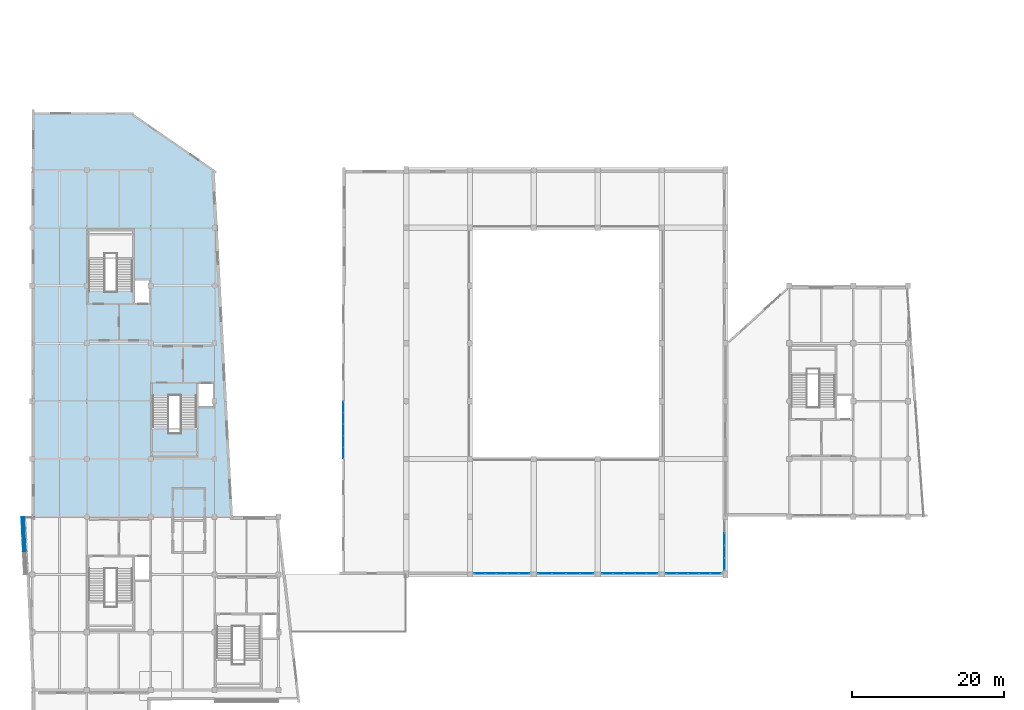
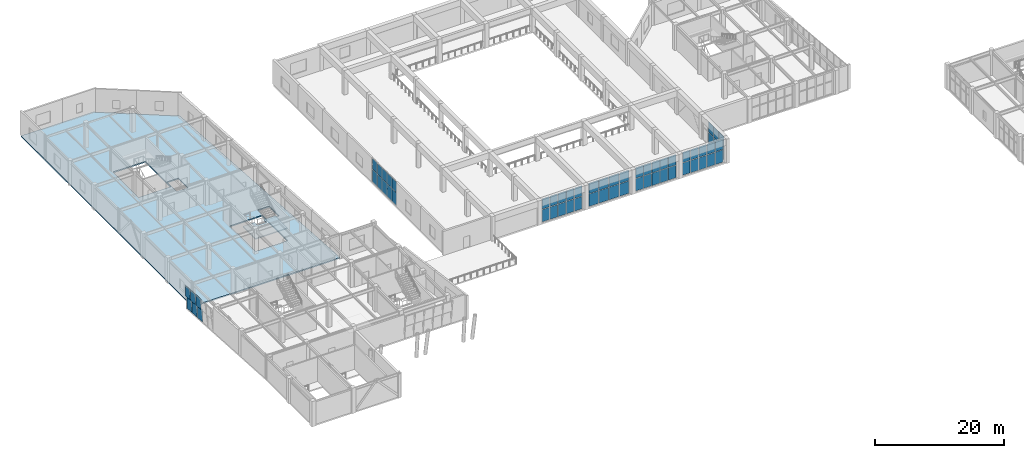
# One storey, part 51 of 72: 60 plates, 2 slabs, 8 elements without a shape of their own.
"""IFC4 building model written with IfcOpenShell, lengths in metres."""

from ifc_helpers import new_model, si_unit, direction, frame, origin, origin_2d, place, context, subcontext, project, spatial, polyline, rectangle, outline, extrude, material, layer, layer_set, type_object, element, aggregate, save


model = new_model("IFC4")

# Units and contexts
model_context = context("Model", 3, precision=1e-05, world=origin(), true_north=direction((0.0, 1.0)))
body_context = subcontext(model_context, "Body", "Model", "MODEL_VIEW")
ifc_project = project(units=[si_unit("LENGTHUNIT", "METRE"), si_unit("AREAUNIT", "SQUARE_METRE"), si_unit("VOLUMEUNIT", "CUBIC_METRE"), si_unit("PLANEANGLEUNIT", "RADIAN"), si_unit("MASSUNIT", "GRAM", prefix="KILO")], contexts=[model_context])

# Site, building, storey
site_placement = place(None, origin())
site = spatial("IfcSite", under=ifc_project, at=site_placement, CompositionType="ELEMENT")
building_placement = place(site_placement, origin())
building = spatial("IfcBuilding", under=site, at=building_placement, Name="Xicomal Pleat Aquarium", CompositionType="ELEMENT")
storey_placement = place(building_placement, frame((0.0, 0.0, 10.5)))
storey = spatial("IfcBuildingStorey", under=building, at=storey_placement, Name="L03", CompositionType="ELEMENT", Elevation=10.5)

# Curtain wall, plates
ifc_material_1 = material(Name="Bronze anodized aluminium 6063-T6", Category="aluminium")
ifc_layer_1 = layer(ifc_material_1, 0.159912109375)
ifc_layer_set_1 = layer_set([ifc_layer_1], Name="Bronze anodized aluminium 6063-T6")
curtain_wall_type_1 = type_object("IfcCurtainWallType", Name="CW-SYS-03", PredefinedType="NOTDEFINED", material=ifc_layer_set_1)
curtain_wall_1_placement = place(storey_placement, origin())
curtain_wall_1 = element("IfcCurtainWall", 1, at=curtain_wall_1_placement, inside=storey, type_object=curtain_wall_type_1, Name="L03 unitised curtain wall CW-L03-164", PredefinedType="NOTDEFINED")
ifc_material_2 = material(Name="Insulated low-E laminated glass", Category="glass")
ifc_layer_2 = layer(ifc_material_2, 0.028076171875)
ifc_layer_set_2 = layer_set([ifc_layer_2], Name="Insulated low-E laminated glass")
plate_type_1 = type_object("IfcPlateType", Name="CWP-GLZ-28", PredefinedType="CURTAIN_PANEL", material=ifc_layer_set_2)
plate_1_placement = place(storey_placement, frame((92.9228515625, 30.5400390625, 0.0849609375), z_axis=(0.0, 0.0, 1.0), x_axis=(-1.0, 0.0, 0.0)))
plate_1 = element("IfcPlate", 2, at=plate_1_placement, type_object=plate_type_1, Name="CW-03 panel 1.1", PredefinedType="CURTAIN_PANEL", context=body_context, shape_type="SweptSolid", body=[
    extrude(rectangle(XDim=1.344482421875, YDim=0.028076171875, at=origin_2d()), origin(), (0.0, 0.0, 1.0), 2.33447265625),
])
plate_2_placement = place(storey_placement, frame((92.9228515625, 30.5400390625, 2.50439453125), z_axis=(0.0, 0.0, 1.0), x_axis=(-1.0, 0.0, 0.0)))
plate_2 = element("IfcPlate", 3, at=plate_2_placement, type_object=plate_type_1, Name="CW-03 panel 1.2", PredefinedType="CURTAIN_PANEL", context=body_context, shape_type="SweptSolid", body=[
    extrude(rectangle(XDim=1.344482421875, YDim=0.028076171875, at=origin_2d()), origin(), (0.0, 0.0, 1.0), 1.970458984375),
])
plate_3_placement = place(storey_placement, frame((91.471923828125, 30.5400390625, 0.0849609375), z_axis=(0.0, 0.0, 1.0), x_axis=(-1.0, 0.0, 0.0)))
plate_3 = element("IfcPlate", 4, at=plate_3_placement, type_object=plate_type_1, Name="CW-03 panel 2.1", PredefinedType="CURTAIN_PANEL", context=body_context, shape_type="SweptSolid", body=[
    extrude(rectangle(XDim=1.386962890625, YDim=0.028076171875, at=origin_2d()), origin(), (0.0, 0.0, 1.0), 2.33447265625),
])
plate_4_placement = place(storey_placement, frame((91.471923828125, 30.5400390625, 2.50439453125), z_axis=(0.0, 0.0, 1.0), x_axis=(-1.0, 0.0, 0.0)))
plate_4 = element("IfcPlate", 5, at=plate_4_placement, type_object=plate_type_1, Name="CW-03 panel 2.2", PredefinedType="CURTAIN_PANEL", context=body_context, shape_type="SweptSolid", body=[
    extrude(rectangle(XDim=1.386962890625, YDim=0.028076171875, at=origin_2d()), origin(), (0.0, 0.0, 1.0), 1.970458984375),
])
plate_5_placement = place(storey_placement, frame((90.0, 30.5400390625, 0.0849609375), z_axis=(0.0, 0.0, 1.0), x_axis=(-1.0, 0.0, 0.0)))
plate_5 = element("IfcPlate", 6, at=plate_5_placement, type_object=plate_type_1, Name="CW-03 panel 3.1", PredefinedType="CURTAIN_PANEL", context=body_context, shape_type="SweptSolid", body=[
    extrude(rectangle(XDim=1.386962890625, YDim=0.028076171875, at=origin_2d()), origin(), (0.0, 0.0, 1.0), 2.33447265625),
])
plate_6_placement = place(storey_placement, frame((90.0, 30.5400390625, 2.50439453125), z_axis=(0.0, 0.0, 1.0), x_axis=(-1.0, 0.0, 0.0)))
plate_6 = element("IfcPlate", 7, at=plate_6_placement, type_object=plate_type_1, Name="CW-03 panel 3.2", PredefinedType="CURTAIN_PANEL", context=body_context, shape_type="SweptSolid", body=[
    extrude(rectangle(XDim=1.386962890625, YDim=0.028076171875, at=origin_2d()), origin(), (0.0, 0.0, 1.0), 1.970458984375),
])
plate_7_placement = place(storey_placement, frame((88.528076171875, 30.5400390625, 0.0849609375), z_axis=(0.0, 0.0, 1.0), x_axis=(-1.0, 0.0, 0.0)))
plate_7 = element("IfcPlate", 8, at=plate_7_placement, type_object=plate_type_1, Name="CW-03 panel 4.1", PredefinedType="CURTAIN_PANEL", context=body_context, shape_type="SweptSolid", body=[
    extrude(rectangle(XDim=1.386962890625, YDim=0.028076171875, at=origin_2d()), origin(), (0.0, 0.0, 1.0), 2.33447265625),
])
plate_8_placement = place(storey_placement, frame((88.528076171875, 30.5400390625, 2.50439453125), z_axis=(0.0, 0.0, 1.0), x_axis=(-1.0, 0.0, 0.0)))
plate_8 = element("IfcPlate", 9, at=plate_8_placement, type_object=plate_type_1, Name="CW-03 panel 4.2", PredefinedType="CURTAIN_PANEL", context=body_context, shape_type="SweptSolid", body=[
    extrude(rectangle(XDim=1.386962890625, YDim=0.028076171875, at=origin_2d()), origin(), (0.0, 0.0, 1.0), 1.970458984375),
])
plate_9_placement = place(storey_placement, frame((87.0771484375, 30.5400390625, 0.0849609375), z_axis=(0.0, 0.0, 1.0), x_axis=(-1.0, 0.0, 0.0)))
plate_9 = element("IfcPlate", 10, at=plate_9_placement, type_object=plate_type_1, Name="CW-03 panel 5.1", PredefinedType="CURTAIN_PANEL", context=body_context, shape_type="SweptSolid", body=[
    extrude(rectangle(XDim=1.344482421875, YDim=0.028076171875, at=origin_2d()), origin(), (0.0, 0.0, 1.0), 2.33447265625),
])
plate_10_placement = place(storey_placement, frame((87.0771484375, 30.5400390625, 2.50439453125), z_axis=(0.0, 0.0, 1.0), x_axis=(-1.0, 0.0, 0.0)))
plate_10 = element("IfcPlate", 11, at=plate_10_placement, type_object=plate_type_1, Name="CW-03 panel 5.2", PredefinedType="CURTAIN_PANEL", context=body_context, shape_type="SweptSolid", body=[
    extrude(rectangle(XDim=1.344482421875, YDim=0.028076171875, at=origin_2d()), origin(), (0.0, 0.0, 1.0), 1.970458984375),
])
aggregate(curtain_wall_1, [plate_1, plate_2, plate_3, plate_4, plate_5, plate_6, plate_7, plate_8, plate_9, plate_10])

curtain_wall_2_placement = place(storey_placement, origin())
curtain_wall_2 = element("IfcCurtainWall", 12, at=curtain_wall_2_placement, inside=storey, type_object=curtain_wall_type_1, Name="L03 unitised curtain wall CW-L03-168", PredefinedType="NOTDEFINED")
plate_11_placement = place(storey_placement, frame((43.93994140625, 46.376220703125, 0.06494140625), z_axis=(0.0, 0.0, 1.0), x_axis=(0.0, 1.0, 0.0)))
plate_11 = element("IfcPlate", 13, at=plate_11_placement, type_object=plate_type_1, Name="CW-03 panel 1.1", PredefinedType="CURTAIN_PANEL", context=body_context, shape_type="SweptSolid", body=[
    extrude(rectangle(XDim=1.422607421875, YDim=0.028076171875, at=origin_2d()), origin(), (0.0, 0.0, 1.0), 2.364501953125),
])
plate_12_placement = place(storey_placement, frame((43.93994140625, 46.376220703125, 2.494384765625), z_axis=(0.0, 0.0, 1.0), x_axis=(0.0, 1.0, 0.0)))
plate_12 = element("IfcPlate", 14, at=plate_12_placement, type_object=plate_type_1, Name="CW-03 panel 1.2", PredefinedType="CURTAIN_PANEL", context=body_context, shape_type="SweptSolid", body=[
    extrude(rectangle(XDim=1.422607421875, YDim=0.028076171875, at=origin_2d()), origin(), (0.0, 0.0, 1.0), 2.00048828125),
])
plate_13_placement = place(storey_placement, frame((43.93994140625, 47.8798828125, 0.06494140625), z_axis=(0.0, 0.0, 1.0), x_axis=(0.0, 1.0, 0.0)))
plate_13 = element("IfcPlate", 15, at=plate_13_placement, type_object=plate_type_1, Name="CW-03 panel 2.1", PredefinedType="CURTAIN_PANEL", context=body_context, shape_type="SweptSolid", body=[
    extrude(rectangle(XDim=1.455078125, YDim=0.028076171875, at=origin_2d()), origin(), (0.0, 0.0, 1.0), 2.364501953125),
])
plate_14_placement = place(storey_placement, frame((43.93994140625, 47.8798828125, 2.494384765625), z_axis=(0.0, 0.0, 1.0), x_axis=(0.0, 1.0, 0.0)))
plate_14 = element("IfcPlate", 16, at=plate_14_placement, type_object=plate_type_1, Name="CW-03 panel 2.2", PredefinedType="CURTAIN_PANEL", context=body_context, shape_type="SweptSolid", body=[
    extrude(rectangle(XDim=1.455078125, YDim=0.028076171875, at=origin_2d()), origin(), (0.0, 0.0, 1.0), 2.00048828125),
])
plate_15_placement = place(storey_placement, frame((43.93994140625, 49.39990234375, 0.06494140625), z_axis=(0.0, 0.0, 1.0), x_axis=(0.0, 1.0, 0.0)))
plate_15 = element("IfcPlate", 17, at=plate_15_placement, type_object=plate_type_1, Name="CW-03 panel 3.1", PredefinedType="CURTAIN_PANEL", context=body_context, shape_type="SweptSolid", body=[
    extrude(rectangle(XDim=1.455078125, YDim=0.028076171875, at=origin_2d()), origin(), (0.0, 0.0, 1.0), 2.364501953125),
])
plate_16_placement = place(storey_placement, frame((43.93994140625, 49.39990234375, 2.494384765625), z_axis=(0.0, 0.0, 1.0), x_axis=(0.0, 1.0, 0.0)))
plate_16 = element("IfcPlate", 18, at=plate_16_placement, type_object=plate_type_1, Name="CW-03 panel 3.2", PredefinedType="CURTAIN_PANEL", context=body_context, shape_type="SweptSolid", body=[
    extrude(rectangle(XDim=1.455078125, YDim=0.028076171875, at=origin_2d()), origin(), (0.0, 0.0, 1.0), 2.00048828125),
])
plate_17_placement = place(storey_placement, frame((43.93994140625, 50.919921875, 0.06494140625), z_axis=(0.0, 0.0, 1.0), x_axis=(0.0, 1.0, 0.0)))
plate_17 = element("IfcPlate", 19, at=plate_17_placement, type_object=plate_type_1, Name="CW-03 panel 4.1", PredefinedType="CURTAIN_PANEL", context=body_context, shape_type="SweptSolid", body=[
    extrude(rectangle(XDim=1.455078125, YDim=0.028076171875, at=origin_2d()), origin(), (0.0, 0.0, 1.0), 2.364501953125),
])
plate_18_placement = place(storey_placement, frame((43.93994140625, 50.919921875, 2.494384765625), z_axis=(0.0, 0.0, 1.0), x_axis=(0.0, 1.0, 0.0)))
plate_18 = element("IfcPlate", 20, at=plate_18_placement, type_object=plate_type_1, Name="CW-03 panel 4.2", PredefinedType="CURTAIN_PANEL", context=body_context, shape_type="SweptSolid", body=[
    extrude(rectangle(XDim=1.455078125, YDim=0.028076171875, at=origin_2d()), origin(), (0.0, 0.0, 1.0), 2.00048828125),
])
plate_19_placement = place(storey_placement, frame((43.93994140625, 52.423828125, 0.06494140625), z_axis=(0.0, 0.0, 1.0), x_axis=(0.0, 1.0, 0.0)))
plate_19 = element("IfcPlate", 21, at=plate_19_placement, type_object=plate_type_1, Name="CW-03 panel 5.1", PredefinedType="CURTAIN_PANEL", context=body_context, shape_type="SweptSolid", body=[
    extrude(rectangle(XDim=1.422607421875, YDim=0.028076171875, at=origin_2d()), origin(), (0.0, 0.0, 1.0), 2.364501953125),
])
plate_20_placement = place(storey_placement, frame((43.93994140625, 52.423828125, 2.494384765625), z_axis=(0.0, 0.0, 1.0), x_axis=(0.0, 1.0, 0.0)))
plate_20 = element("IfcPlate", 22, at=plate_20_placement, type_object=plate_type_1, Name="CW-03 panel 5.2", PredefinedType="CURTAIN_PANEL", context=body_context, shape_type="SweptSolid", body=[
    extrude(rectangle(XDim=1.422607421875, YDim=0.028076171875, at=origin_2d()), origin(), (0.0, 0.0, 1.0), 2.00048828125),
])
aggregate(curtain_wall_2, [plate_11, plate_12, plate_13, plate_14, plate_15, plate_16, plate_17, plate_18, plate_19, plate_20])

curtain_wall_3_placement = place(storey_placement, origin())
curtain_wall_3 = element("IfcCurtainWall", 23, at=curtain_wall_3_placement, inside=storey, type_object=curtain_wall_type_1, Name="L03 unitised curtain wall CW-L03-165", PredefinedType="NOTDEFINED")
ifc_material_3 = material(Name="Insulated low-E laminated glass", Category="glass")
ifc_layer_3 = layer(ifc_material_3, 0.031982421875)
ifc_layer_set_3 = layer_set([ifc_layer_3], Name="Insulated low-E laminated glass")
plate_type_2 = type_object("IfcPlateType", Name="CWP-GLZ-32", PredefinedType="CURTAIN_PANEL", material=ifc_layer_set_3)
plate_21_placement = place(storey_placement, frame((84.527587890625, 30.5400390625, 0.06494140625), z_axis=(0.0, 0.0, 1.0), x_axis=(-1.0, 0.0, 0.0)))
plate_21 = element("IfcPlate", 24, at=plate_21_placement, type_object=plate_type_2, Name="CW-03 panel 1.1", PredefinedType="CURTAIN_PANEL", context=body_context, shape_type="SweptSolid", body=[
    extrude(rectangle(XDim=1.37451171875, YDim=0.031982421875, at=origin_2d()), origin(), (0.0, 0.0, 1.0), 2.364501953125),
])
plate_22_placement = place(storey_placement, frame((84.527587890625, 30.5400390625, 2.494384765625), z_axis=(0.0, 0.0, 1.0), x_axis=(-1.0, 0.0, 0.0)))
plate_22 = element("IfcPlate", 25, at=plate_22_placement, type_object=plate_type_2, Name="CW-03 panel 1.2", PredefinedType="CURTAIN_PANEL", context=body_context, shape_type="SweptSolid", body=[
    extrude(rectangle(XDim=1.37451171875, YDim=0.031982421875, at=origin_2d()), origin(), (0.0, 0.0, 1.0), 2.00048828125),
])
plate_23_placement = place(storey_placement, frame((83.072021484375, 30.5400390625, 0.06494140625), z_axis=(0.0, 0.0, 1.0), x_axis=(-1.0, 0.0, 0.0)))
plate_23 = element("IfcPlate", 26, at=plate_23_placement, type_object=plate_type_2, Name="CW-03 panel 2.1", PredefinedType="CURTAIN_PANEL", context=body_context, shape_type="SweptSolid", body=[
    extrude(rectangle(XDim=1.406982421875, YDim=0.031982421875, at=origin_2d()), origin(), (0.0, 0.0, 1.0), 2.364501953125),
])
plate_24_placement = place(storey_placement, frame((83.072021484375, 30.5400390625, 2.494384765625), z_axis=(0.0, 0.0, 1.0), x_axis=(-1.0, 0.0, 0.0)))
plate_24 = element("IfcPlate", 27, at=plate_24_placement, type_object=plate_type_2, Name="CW-03 panel 2.2", PredefinedType="CURTAIN_PANEL", context=body_context, shape_type="SweptSolid", body=[
    extrude(rectangle(XDim=1.406982421875, YDim=0.031982421875, at=origin_2d()), origin(), (0.0, 0.0, 1.0), 2.00048828125),
])
plate_25_placement = place(storey_placement, frame((81.60009765625, 30.5400390625, 0.06494140625), z_axis=(0.0, 0.0, 1.0), x_axis=(-1.0, 0.0, 0.0)))
plate_25 = element("IfcPlate", 28, at=plate_25_placement, type_object=plate_type_2, Name="CW-03 panel 3.1", PredefinedType="CURTAIN_PANEL", context=body_context, shape_type="SweptSolid", body=[
    extrude(rectangle(XDim=1.406982421875, YDim=0.031982421875, at=origin_2d()), origin(), (0.0, 0.0, 1.0), 2.364501953125),
])
plate_26_placement = place(storey_placement, frame((81.60009765625, 30.5400390625, 2.494384765625), z_axis=(0.0, 0.0, 1.0), x_axis=(-1.0, 0.0, 0.0)))
plate_26 = element("IfcPlate", 29, at=plate_26_placement, type_object=plate_type_2, Name="CW-03 panel 3.2", PredefinedType="CURTAIN_PANEL", context=body_context, shape_type="SweptSolid", body=[
    extrude(rectangle(XDim=1.406982421875, YDim=0.031982421875, at=origin_2d()), origin(), (0.0, 0.0, 1.0), 2.00048828125),
])
plate_27_placement = place(storey_placement, frame((80.1279296875, 30.5400390625, 0.06494140625), z_axis=(0.0, 0.0, 1.0), x_axis=(-1.0, 0.0, 0.0)))
plate_27 = element("IfcPlate", 30, at=plate_27_placement, type_object=plate_type_2, Name="CW-03 panel 4.1", PredefinedType="CURTAIN_PANEL", context=body_context, shape_type="SweptSolid", body=[
    extrude(rectangle(XDim=1.406982421875, YDim=0.031982421875, at=origin_2d()), origin(), (0.0, 0.0, 1.0), 2.364501953125),
])
plate_28_placement = place(storey_placement, frame((80.1279296875, 30.5400390625, 2.494384765625), z_axis=(0.0, 0.0, 1.0), x_axis=(-1.0, 0.0, 0.0)))
plate_28 = element("IfcPlate", 31, at=plate_28_placement, type_object=plate_type_2, Name="CW-03 panel 4.2", PredefinedType="CURTAIN_PANEL", context=body_context, shape_type="SweptSolid", body=[
    extrude(rectangle(XDim=1.406982421875, YDim=0.031982421875, at=origin_2d()), origin(), (0.0, 0.0, 1.0), 2.00048828125),
])
plate_29_placement = place(storey_placement, frame((78.67236328125, 30.5400390625, 0.06494140625), z_axis=(0.0, 0.0, 1.0), x_axis=(-1.0, 0.0, 0.0)))
plate_29 = element("IfcPlate", 32, at=plate_29_placement, type_object=plate_type_2, Name="CW-03 panel 5.1", PredefinedType="CURTAIN_PANEL", context=body_context, shape_type="SweptSolid", body=[
    extrude(rectangle(XDim=1.37451171875, YDim=0.031982421875, at=origin_2d()), origin(), (0.0, 0.0, 1.0), 2.364501953125),
])
plate_30_placement = place(storey_placement, frame((78.67236328125, 30.5400390625, 2.494384765625), z_axis=(0.0, 0.0, 1.0), x_axis=(-1.0, 0.0, 0.0)))
plate_30 = element("IfcPlate", 33, at=plate_30_placement, type_object=plate_type_2, Name="CW-03 panel 5.2", PredefinedType="CURTAIN_PANEL", context=body_context, shape_type="SweptSolid", body=[
    extrude(rectangle(XDim=1.37451171875, YDim=0.031982421875, at=origin_2d()), origin(), (0.0, 0.0, 1.0), 2.00048828125),
])
aggregate(curtain_wall_3, [plate_21, plate_22, plate_23, plate_24, plate_25, plate_26, plate_27, plate_28, plate_29, plate_30])

ifc_material_4 = material(Name="Bronze anodized aluminium 6063-T6", Category="aluminium")
ifc_layer_4 = layer(ifc_material_4, 0.159912109375)
ifc_layer_set_4 = layer_set([ifc_layer_4], Name="Bronze anodized aluminium 6063-T6")
curtain_wall_type_2 = type_object("IfcCurtainWallType", Name="CW-SYS-08", PredefinedType="NOTDEFINED", material=ifc_layer_set_4)
curtain_wall_4_placement = place(storey_placement, origin())
curtain_wall_4 = element("IfcCurtainWall", 34, at=curtain_wall_4_placement, inside=storey, type_object=curtain_wall_type_2, Name="L03 unitised curtain wall CW-L03-166", PredefinedType="NOTDEFINED")
ifc_material_5 = material(Name="Insulated low-E laminated glass", Category="glass")
ifc_layer_5 = layer(ifc_material_5, 0.035888671875)
ifc_layer_set_5 = layer_set([ifc_layer_5], Name="Insulated low-E laminated glass")
plate_type_3 = type_object("IfcPlateType", Name="CWP-GLZ-36", PredefinedType="CURTAIN_PANEL", material=ifc_layer_set_5)
plate_31_placement = place(storey_placement, frame((75.941162109375, 30.5400390625, 0.074951171875), z_axis=(0.0, 0.0, 1.0), x_axis=(-1.0, 0.0, 0.0)))
plate_31 = element("IfcPlate", 35, at=plate_31_placement, type_object=plate_type_3, Name="CW-08 panel 1.1", PredefinedType="CURTAIN_PANEL", context=body_context, shape_type="SweptSolid", body=[
    extrude(rectangle(XDim=1.7275390625, YDim=0.035888671875, at=origin_2d()), origin(), (0.0, 0.0, 1.0), 2.349609375),
])
plate_32_placement = place(storey_placement, frame((75.941162109375, 30.5400390625, 2.49951171875), z_axis=(0.0, 0.0, 1.0), x_axis=(-1.0, 0.0, 0.0)))
plate_32 = element("IfcPlate", 36, at=plate_32_placement, type_object=plate_type_3, Name="CW-08 panel 1.2", PredefinedType="CURTAIN_PANEL", context=body_context, shape_type="SweptSolid", body=[
    extrude(rectangle(XDim=1.7275390625, YDim=0.035888671875, at=origin_2d()), origin(), (0.0, 0.0, 1.0), 1.985595703125),
])
plate_33_placement = place(storey_placement, frame((74.1201171875, 30.5400390625, 0.074951171875), z_axis=(0.0, 0.0, 1.0), x_axis=(-1.0, 0.0, 0.0)))
plate_33 = element("IfcPlate", 37, at=plate_33_placement, type_object=plate_type_3, Name="CW-08 panel 2.1", PredefinedType="CURTAIN_PANEL", context=body_context, shape_type="SweptSolid", body=[
    extrude(rectangle(XDim=1.764892578125, YDim=0.035888671875, at=origin_2d()), origin(), (0.0, 0.0, 1.0), 2.349609375),
])
plate_34_placement = place(storey_placement, frame((74.1201171875, 30.5400390625, 2.49951171875), z_axis=(0.0, 0.0, 1.0), x_axis=(-1.0, 0.0, 0.0)))
plate_34 = element("IfcPlate", 38, at=plate_34_placement, type_object=plate_type_3, Name="CW-08 panel 2.2", PredefinedType="CURTAIN_PANEL", context=body_context, shape_type="SweptSolid", body=[
    extrude(rectangle(XDim=1.764892578125, YDim=0.035888671875, at=origin_2d()), origin(), (0.0, 0.0, 1.0), 1.985595703125),
])
plate_35_placement = place(storey_placement, frame((72.280029296875, 30.5400390625, 0.074951171875), z_axis=(0.0, 0.0, 1.0), x_axis=(-1.0, 0.0, 0.0)))
plate_35 = element("IfcPlate", 39, at=plate_35_placement, type_object=plate_type_3, Name="CW-08 panel 3.1", PredefinedType="CURTAIN_PANEL", context=body_context, shape_type="SweptSolid", body=[
    extrude(rectangle(XDim=1.764892578125, YDim=0.035888671875, at=origin_2d()), origin(), (0.0, 0.0, 1.0), 2.349609375),
])
plate_36_placement = place(storey_placement, frame((72.280029296875, 30.5400390625, 2.49951171875), z_axis=(0.0, 0.0, 1.0), x_axis=(-1.0, 0.0, 0.0)))
plate_36 = element("IfcPlate", 40, at=plate_36_placement, type_object=plate_type_3, Name="CW-08 panel 3.2", PredefinedType="CURTAIN_PANEL", context=body_context, shape_type="SweptSolid", body=[
    extrude(rectangle(XDim=1.764892578125, YDim=0.035888671875, at=origin_2d()), origin(), (0.0, 0.0, 1.0), 1.985595703125),
])
plate_37_placement = place(storey_placement, frame((70.458740234375, 30.5400390625, 0.074951171875), z_axis=(0.0, 0.0, 1.0), x_axis=(-1.0, 0.0, 0.0)))
plate_37 = element("IfcPlate", 41, at=plate_37_placement, type_object=plate_type_3, Name="CW-08 panel 4.1", PredefinedType="CURTAIN_PANEL", context=body_context, shape_type="SweptSolid", body=[
    extrude(rectangle(XDim=1.7275390625, YDim=0.035888671875, at=origin_2d()), origin(), (0.0, 0.0, 1.0), 2.349609375),
])
plate_38_placement = place(storey_placement, frame((70.458740234375, 30.5400390625, 2.49951171875), z_axis=(0.0, 0.0, 1.0), x_axis=(-1.0, 0.0, 0.0)))
plate_38 = element("IfcPlate", 42, at=plate_38_placement, type_object=plate_type_3, Name="CW-08 panel 4.2", PredefinedType="CURTAIN_PANEL", context=body_context, shape_type="SweptSolid", body=[
    extrude(rectangle(XDim=1.7275390625, YDim=0.035888671875, at=origin_2d()), origin(), (0.0, 0.0, 1.0), 1.985595703125),
])
aggregate(curtain_wall_4, [plate_31, plate_32, plate_33, plate_34, plate_35, plate_36, plate_37, plate_38])

curtain_wall_5_placement = place(storey_placement, origin())
curtain_wall_5 = element("IfcCurtainWall", 43, at=curtain_wall_5_placement, inside=storey, type_object=curtain_wall_type_1, Name="L03 unitised curtain wall CW-L03-170", PredefinedType="NOTDEFINED")
plate_39_placement = place(storey_placement, frame((2.09033203125, 34.199951171875, 0.0849609375), z_axis=(0.0, 0.0, 1.0), x_axis=(-0.047315368449, 0.998880000755, 0.0)))
plate_39 = element("IfcPlate", 44, at=plate_39_placement, type_object=plate_type_3, Name="CW-03 panel 3.1", PredefinedType="CURTAIN_PANEL", context=body_context, shape_type="SweptSolid", body=[
    extrude(rectangle(XDim=1.436767578125, YDim=0.035888671875, at=origin_2d()), origin(), (0.0, 0.0, 1.0), 2.342529296875),
])
plate_40_placement = place(storey_placement, frame((1.822998046875, 34.187255859375, 2.512451171875), z_axis=(0.0, 0.0, 1.0), x_axis=(-0.047315368449, 0.998880000755, 0.0)))
plate_40 = element("IfcPlate", 45, at=plate_40_placement, type_object=plate_type_3, Name="CW-03 panel 3.2", PredefinedType="CURTAIN_PANEL", context=body_context, shape_type="SweptSolid", body=[
    extrude(rectangle(XDim=1.436767578125, YDim=0.035888671875, at=origin_2d()), origin(), (0.0, 0.0, 1.0), 1.9775390625),
])
plate_41_placement = place(storey_placement, frame((2.018310546875, 35.719970703125, 0.0849609375), z_axis=(0.0, 0.0, 1.0), x_axis=(-0.047315368449, 0.998880000755, 0.0)))
plate_41 = element("IfcPlate", 46, at=plate_41_placement, type_object=plate_type_3, Name="CW-03 panel 4.1", PredefinedType="CURTAIN_PANEL", context=body_context, shape_type="SweptSolid", body=[
    extrude(rectangle(XDim=1.436767578125, YDim=0.035888671875, at=origin_2d()), origin(), (0.0, 0.0, 1.0), 2.342529296875),
])
plate_42_placement = place(storey_placement, frame((1.7509765625, 35.707275390625, 2.512451171875), z_axis=(0.0, 0.0, 1.0), x_axis=(-0.047315368449, 0.998880000755, 0.0)))
plate_42 = element("IfcPlate", 47, at=plate_42_placement, type_object=plate_type_3, Name="CW-03 panel 4.2", PredefinedType="CURTAIN_PANEL", context=body_context, shape_type="SweptSolid", body=[
    extrude(rectangle(XDim=1.436767578125, YDim=0.035888671875, at=origin_2d()), origin(), (0.0, 0.0, 1.0), 1.9775390625),
])
plate_43_placement = place(storey_placement, frame((1.947509765625, 37.21875, 0.0849609375), z_axis=(0.0, 0.0, 1.0), x_axis=(-0.047315368449, 0.998880000755, 0.0)))
plate_43 = element("IfcPlate", 48, at=plate_43_placement, type_object=plate_type_3, Name="CW-03 panel 5.1", PredefinedType="CURTAIN_PANEL", context=body_context, shape_type="SweptSolid", body=[
    extrude(rectangle(XDim=1.394287109375, YDim=0.035888671875, at=origin_2d()), origin(), (0.0, 0.0, 1.0), 2.342529296875),
])
plate_44_placement = place(storey_placement, frame((1.679931640625, 37.2060546875, 2.512451171875), z_axis=(0.0, 0.0, 1.0), x_axis=(-0.047315368449, 0.998880000755, 0.0)))
plate_44 = element("IfcPlate", 49, at=plate_44_placement, type_object=plate_type_3, Name="CW-03 panel 5.2", PredefinedType="CURTAIN_PANEL", context=body_context, shape_type="SweptSolid", body=[
    extrude(rectangle(XDim=1.394287109375, YDim=0.035888671875, at=origin_2d()), origin(), (0.0, 0.0, 1.0), 1.9775390625),
])
aggregate(curtain_wall_5, [plate_39, plate_40, plate_41, plate_42, plate_43, plate_44])

curtain_wall_6_placement = place(storey_placement, origin())
curtain_wall_6 = element("IfcCurtainWall", 50, at=curtain_wall_6_placement, inside=storey, type_object=curtain_wall_type_2, Name="L03 unitised curtain wall CW-L03-163", PredefinedType="NOTDEFINED")
ifc_material_6 = material(Name="Insulated low-E laminated glass", Category="glass")
ifc_layer_6 = layer(ifc_material_6, 0.0419921875)
ifc_layer_set_6 = layer_set([ifc_layer_6], Name="Insulated low-E laminated glass")
plate_type_4 = type_object("IfcPlateType", Name="CWP-GLZ-42", PredefinedType="CURTAIN_PANEL", material=ifc_layer_set_6)
plate_45_placement = place(storey_placement, frame((94.06005859375, 35.02001953125, 0.074951171875), z_axis=(0.0, 0.0, 1.0), x_axis=(0.0, -1.0, 0.0)))
plate_45 = element("IfcPlate", 51, at=plate_45_placement, type_object=plate_type_4, Name="CW-08 panel 2.1", PredefinedType="CURTAIN_PANEL", context=body_context, shape_type="SweptSolid", body=[
    extrude(rectangle(XDim=1.56494140625, YDim=0.0419921875, at=origin_2d()), origin(), (0.0, 0.0, 1.0), 2.349609375),
])
plate_46_placement = place(storey_placement, frame((94.06005859375, 35.02001953125, 2.49951171875), z_axis=(0.0, 0.0, 1.0), x_axis=(0.0, -1.0, 0.0)))
plate_46 = element("IfcPlate", 52, at=plate_46_placement, type_object=plate_type_4, Name="CW-08 panel 2.2", PredefinedType="CURTAIN_PANEL", context=body_context, shape_type="SweptSolid", body=[
    extrude(rectangle(XDim=1.56494140625, YDim=0.0419921875, at=origin_2d()), origin(), (0.0, 0.0, 1.0), 1.985595703125),
])
plate_47_placement = place(storey_placement, frame((94.06005859375, 33.3798828125, 0.074951171875), z_axis=(0.0, 0.0, 1.0), x_axis=(0.0, -1.0, 0.0)))
plate_47 = element("IfcPlate", 53, at=plate_47_placement, type_object=plate_type_4, Name="CW-08 panel 3.1", PredefinedType="CURTAIN_PANEL", context=body_context, shape_type="SweptSolid", body=[
    extrude(rectangle(XDim=1.56494140625, YDim=0.0419921875, at=origin_2d()), origin(), (0.0, 0.0, 1.0), 2.349609375),
])
plate_48_placement = place(storey_placement, frame((94.06005859375, 33.3798828125, 2.49951171875), z_axis=(0.0, 0.0, 1.0), x_axis=(0.0, -1.0, 0.0)))
plate_48 = element("IfcPlate", 54, at=plate_48_placement, type_object=plate_type_4, Name="CW-08 panel 3.2", PredefinedType="CURTAIN_PANEL", context=body_context, shape_type="SweptSolid", body=[
    extrude(rectangle(XDim=1.56494140625, YDim=0.0419921875, at=origin_2d()), origin(), (0.0, 0.0, 1.0), 1.985595703125),
])
plate_49_placement = place(storey_placement, frame((94.06005859375, 31.7587890625, 0.074951171875), z_axis=(0.0, 0.0, 1.0), x_axis=(0.0, -1.0, 0.0)))
plate_49 = element("IfcPlate", 55, at=plate_49_placement, type_object=plate_type_4, Name="CW-08 panel 4.1", PredefinedType="CURTAIN_PANEL", context=body_context, shape_type="SweptSolid", body=[
    extrude(rectangle(XDim=1.527587890625, YDim=0.0419921875, at=origin_2d()), origin(), (0.0, 0.0, 1.0), 2.349609375),
])
plate_50_placement = place(storey_placement, frame((94.06005859375, 31.7587890625, 2.49951171875), z_axis=(0.0, 0.0, 1.0), x_axis=(0.0, -1.0, 0.0)))
plate_50 = element("IfcPlate", 56, at=plate_50_placement, type_object=plate_type_4, Name="CW-08 panel 4.2", PredefinedType="CURTAIN_PANEL", context=body_context, shape_type="SweptSolid", body=[
    extrude(rectangle(XDim=1.527587890625, YDim=0.0419921875, at=origin_2d()), origin(), (0.0, 0.0, 1.0), 1.985595703125),
])
aggregate(curtain_wall_6, [plate_45, plate_46, plate_47, plate_48, plate_49, plate_50])

curtain_wall_7_placement = place(storey_placement, origin())
curtain_wall_7 = element("IfcCurtainWall", 57, at=curtain_wall_7_placement, inside=storey, type_object=curtain_wall_type_1, Name="L03 unitised curtain wall CW-L03-167", PredefinedType="NOTDEFINED")
plate_51_placement = place(storey_placement, frame((67.722900390625, 30.5400390625, 0.0849609375), z_axis=(0.0, 0.0, 1.0), x_axis=(-1.0, 0.0, 0.0)))
plate_51 = element("IfcPlate", 58, at=plate_51_placement, type_object=plate_type_4, Name="CW-03 panel 1.1", PredefinedType="CURTAIN_PANEL", context=body_context, shape_type="SweptSolid", body=[
    extrude(rectangle(XDim=1.344482421875, YDim=0.0419921875, at=origin_2d()), origin(), (0.0, 0.0, 1.0), 2.33447265625),
])
plate_52_placement = place(storey_placement, frame((67.722900390625, 30.5400390625, 2.50439453125), z_axis=(0.0, 0.0, 1.0), x_axis=(-1.0, 0.0, 0.0)))
plate_52 = element("IfcPlate", 59, at=plate_52_placement, type_object=plate_type_4, Name="CW-03 panel 1.2", PredefinedType="CURTAIN_PANEL", context=body_context, shape_type="SweptSolid", body=[
    extrude(rectangle(XDim=1.344482421875, YDim=0.0419921875, at=origin_2d()), origin(), (0.0, 0.0, 1.0), 1.970458984375),
])
plate_53_placement = place(storey_placement, frame((66.27197265625, 30.5400390625, 0.0849609375), z_axis=(0.0, 0.0, 1.0), x_axis=(-1.0, 0.0, 0.0)))
plate_53 = element("IfcPlate", 60, at=plate_53_placement, type_object=plate_type_4, Name="CW-03 panel 2.1", PredefinedType="CURTAIN_PANEL", context=body_context, shape_type="SweptSolid", body=[
    extrude(rectangle(XDim=1.386962890625, YDim=0.0419921875, at=origin_2d()), origin(), (0.0, 0.0, 1.0), 2.33447265625),
])
plate_54_placement = place(storey_placement, frame((66.27197265625, 30.5400390625, 2.50439453125), z_axis=(0.0, 0.0, 1.0), x_axis=(-1.0, 0.0, 0.0)))
plate_54 = element("IfcPlate", 61, at=plate_54_placement, type_object=plate_type_4, Name="CW-03 panel 2.2", PredefinedType="CURTAIN_PANEL", context=body_context, shape_type="SweptSolid", body=[
    extrude(rectangle(XDim=1.386962890625, YDim=0.0419921875, at=origin_2d()), origin(), (0.0, 0.0, 1.0), 1.970458984375),
])
plate_55_placement = place(storey_placement, frame((64.800048828125, 30.5400390625, 0.0849609375), z_axis=(0.0, 0.0, 1.0), x_axis=(-1.0, 0.0, 0.0)))
plate_55 = element("IfcPlate", 62, at=plate_55_placement, type_object=plate_type_4, Name="CW-03 panel 3.1", PredefinedType="CURTAIN_PANEL", context=body_context, shape_type="SweptSolid", body=[
    extrude(rectangle(XDim=1.386962890625, YDim=0.0419921875, at=origin_2d()), origin(), (0.0, 0.0, 1.0), 2.33447265625),
])
plate_56_placement = place(storey_placement, frame((64.800048828125, 30.5400390625, 2.50439453125), z_axis=(0.0, 0.0, 1.0), x_axis=(-1.0, 0.0, 0.0)))
plate_56 = element("IfcPlate", 63, at=plate_56_placement, type_object=plate_type_4, Name="CW-03 panel 3.2", PredefinedType="CURTAIN_PANEL", context=body_context, shape_type="SweptSolid", body=[
    extrude(rectangle(XDim=1.386962890625, YDim=0.0419921875, at=origin_2d()), origin(), (0.0, 0.0, 1.0), 1.970458984375),
])
plate_57_placement = place(storey_placement, frame((63.327880859375, 30.5400390625, 0.0849609375), z_axis=(0.0, 0.0, 1.0), x_axis=(-1.0, 0.0, 0.0)))
plate_57 = element("IfcPlate", 64, at=plate_57_placement, type_object=plate_type_4, Name="CW-03 panel 4.1", PredefinedType="CURTAIN_PANEL", context=body_context, shape_type="SweptSolid", body=[
    extrude(rectangle(XDim=1.386962890625, YDim=0.0419921875, at=origin_2d()), origin(), (0.0, 0.0, 1.0), 2.33447265625),
])
plate_58_placement = place(storey_placement, frame((63.327880859375, 30.5400390625, 2.50439453125), z_axis=(0.0, 0.0, 1.0), x_axis=(-1.0, 0.0, 0.0)))
plate_58 = element("IfcPlate", 65, at=plate_58_placement, type_object=plate_type_4, Name="CW-03 panel 4.2", PredefinedType="CURTAIN_PANEL", context=body_context, shape_type="SweptSolid", body=[
    extrude(rectangle(XDim=1.386962890625, YDim=0.0419921875, at=origin_2d()), origin(), (0.0, 0.0, 1.0), 1.970458984375),
])
plate_59_placement = place(storey_placement, frame((61.877197265625, 30.5400390625, 0.0849609375), z_axis=(0.0, 0.0, 1.0), x_axis=(-1.0, 0.0, 0.0)))
plate_59 = element("IfcPlate", 66, at=plate_59_placement, type_object=plate_type_4, Name="CW-03 panel 5.1", PredefinedType="CURTAIN_PANEL", context=body_context, shape_type="SweptSolid", body=[
    extrude(rectangle(XDim=1.344482421875, YDim=0.0419921875, at=origin_2d()), origin(), (0.0, 0.0, 1.0), 2.33447265625),
])
plate_60_placement = place(storey_placement, frame((61.877197265625, 30.5400390625, 2.50439453125), z_axis=(0.0, 0.0, 1.0), x_axis=(-1.0, 0.0, 0.0)))
plate_60 = element("IfcPlate", 67, at=plate_60_placement, type_object=plate_type_4, Name="CW-03 panel 5.2", PredefinedType="CURTAIN_PANEL", context=body_context, shape_type="SweptSolid", body=[
    extrude(rectangle(XDim=1.344482421875, YDim=0.0419921875, at=origin_2d()), origin(), (0.0, 0.0, 1.0), 1.970458984375),
])
aggregate(curtain_wall_7, [plate_51, plate_52, plate_53, plate_54, plate_55, plate_56, plate_57, plate_58, plate_59, plate_60])

# Slab
ifc_material_7 = material(Name="Concrete C35/45", Category="concrete")
ifc_layer_7 = layer(ifc_material_7, 0.22509765625)
ifc_layer_set_7 = layer_set([ifc_layer_7], Name="Concrete C35/45")
slab_type_1 = type_object("IfcSlabType", Name="SLB-FLR-225", PredefinedType="FLOOR", material=ifc_layer_set_7)
slab_1_placement = place(storey_placement, frame((0.0, 0.0, -0.22509765625)))
element("IfcSlab", 68, at=slab_1_placement, inside=storey, type_object=slab_type_1, Name="L03 structural slab V5", PredefinedType="FLOOR", context=body_context, shape_type="SweptSolid", body=[
    extrude(outline(polyline([(3.0, 38.0), (3.0, 91.199951171875), (16.0, 91.199951171875), (27.0, 83.60009765625), (29.39990234375, 38.0), (3.0, 38.0)]), holes=[polyline([(10.43994140625, 67.679931640625), (16.219970703125, 67.679931640625), (16.219970703125, 75.60009765625), (10.43994140625, 75.60009765625), (10.43994140625, 67.679931640625)]), polyline([(16.360107421875, 66.10009765625), (18.39990234375, 66.10009765625), (18.39990234375, 69.10009765625), (16.360107421875, 69.10009765625), (16.360107421875, 66.10009765625)]), polyline([(18.840087890625, 46.0), (24.6201171875, 46.0), (24.6201171875, 53.919921875), (18.840087890625, 53.919921875), (18.840087890625, 46.0)]), polyline([(24.760009765625, 52.5), (26.800048828125, 52.5), (26.800048828125, 55.5), (24.760009765625, 55.5), (24.760009765625, 52.5)])]), origin(), (0.0, 0.0, 1.0), 0.22509765625),
])

# Stair, slab
ifc_material_8 = material(Name="Concrete C35/45", Category="concrete")
stair_type = type_object("IfcStairType", Name="STR-HT-4800-2400", PredefinedType="HALF_TURN_STAIR", material=ifc_material_8)
stair_placement = place(storey_placement, origin())
stair = element("IfcStair", 69, at=stair_placement, inside=storey, type_object=stair_type, Name="ST-04 fire exit stair L03 to L04", PredefinedType="HALF_TURN_STAIR")
ifc_material_9 = material(Name="Concrete C35/45", Category="concrete")
ifc_layer_8 = layer(ifc_material_9, 0.195068359375)
ifc_layer_set_8 = layer_set([ifc_layer_8], Name="Concrete C35/45")
slab_type_2 = type_object("IfcSlabType", Name="SLB-LND-195", PredefinedType="LANDING", material=ifc_layer_set_8)
slab_2_placement = place(storey_placement, frame((0.0, 0.0, 2.205078125)))
slab_2 = element("IfcSlab", 70, at=slab_2_placement, type_object=slab_type_2, Name="ST-04 landing 1", PredefinedType="LANDING", context=body_context, shape_type="SweptSolid", body=[
    extrude(outline(polyline([(18.840087890625, 46.0), (24.6201171875, 46.0), (24.6201171875, 49.85400390625), (22.52001953125, 49.85400390625), (22.52001953125, 48.944091796875), (20.93994140625, 48.944091796875), (20.93994140625, 49.85400390625), (18.840087890625, 49.85400390625), (18.840087890625, 46.0)])), origin(), (0.0, 0.0, 1.0), 0.19482421875),
])
aggregate(stair, [slab_2])

save(model, "model.ifc")
